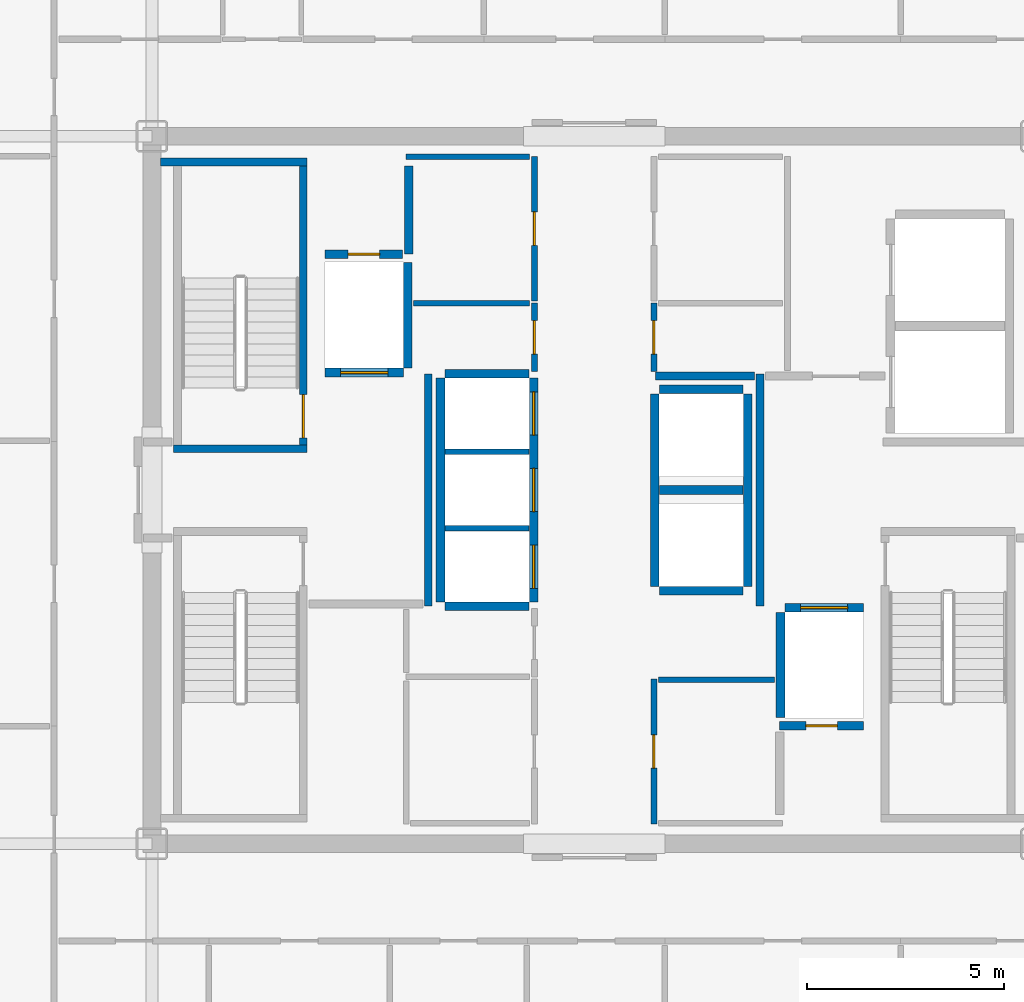
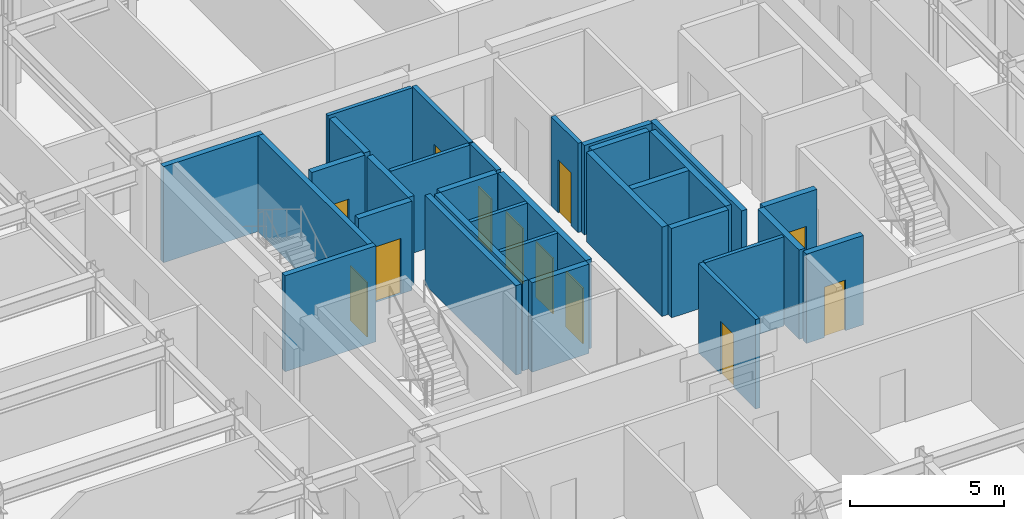
# One storey, part 14 of 18: 31 walls, 12 doors, 12 openings.
"""IFC4 building model written with IfcOpenShell, lengths in metres."""

from ifc_helpers import new_model, si_unit, direction, frame, frame_2d, origin, place, context, subcontext, project, spatial, rectangle, extrude, source, transform, mapped, material, layer, layer_set, type_object, element, fill, save


model = new_model("IFC4")

# Units and contexts
model_context = context("Model", 3, precision=1e-05, world=origin(), true_north=direction((0.0, 1.0)))
body_context = subcontext(model_context, "Body", "Model", "MODEL_VIEW")
ifc_project = project(units=[si_unit("LENGTHUNIT", "METRE"), si_unit("AREAUNIT", "SQUARE_METRE"), si_unit("VOLUMEUNIT", "CUBIC_METRE"), si_unit("PLANEANGLEUNIT", "RADIAN"), si_unit("MASSUNIT", "GRAM", prefix="KILO")], contexts=[model_context])

# Site, building, storey
site_placement = place(None, origin())
site = spatial("IfcSite", under=ifc_project, at=site_placement, CompositionType="ELEMENT")
building_placement = place(site_placement, origin())
building = spatial("IfcBuilding", under=site, at=building_placement, Name="Nefas-Gora Pilgrimage Tower", CompositionType="ELEMENT")
storey_placement = place(building_placement, frame((0.0, 0.0, 295.0)))
storey = spatial("IfcBuildingStorey", under=building, at=storey_placement, Name="L74", CompositionType="ELEMENT", Elevation=295.0)

# Wall
ifc_material_1 = material(Name="Concrete C45/55", Category="concrete")
ifc_layer_1 = layer(ifc_material_1, 0.199951171875)
ifc_layer_set_1 = layer_set([ifc_layer_1], Name="Concrete C45/55")
wall_type_1 = type_object("IfcWallType", Name="IW-STAIR-200", PredefinedType="SOLIDWALL", material=ifc_layer_set_1)
shared_shape_1 = source(origin(), body_context, "Body", "SweptSolid", [
    extrude(rectangle(XDim=3.39990234375, YDim=0.199951171875, at=frame_2d((1.699951171875, 0.0))), origin(), (0.0, 0.0, 1.0), 3.800048828125),
])
wall_1_placement = place(storey_placement, frame((-7.300048828125, 1.050048828125, 0.0), z_axis=(0.0, 0.0, 1.0), x_axis=(-1.0, 0.0, 0.0)))
element("IfcWall", 1, at=wall_1_placement, inside=storey, type_object=wall_type_1, Name="L74 Stairwell Shear Wall ST-01-near", PredefinedType="SOLIDWALL", context=body_context, shape_type="MappedRepresentation", body=[
    mapped(shared_shape_1, transform((0.0, 0.0, 0.0), x_axis=(1.0, 0.0, 0.0), y_axis=(0.0, 1.0, 0.0), z_axis=(0.0, 0.0, 1.0), scale=1.0)),
])

# Wall, opening, door
shared_shape_2 = source(origin(), body_context, "Body", "SweptSolid", [
    extrude(rectangle(XDim=7.10009765625, YDim=0.199951171875, at=frame_2d((3.550048828125, 0.0))), origin(), (0.0, 0.0, 1.0), 3.800048828125),
])
wall_2_placement = place(storey_placement, frame((-7.39990234375, 1.14990234375, 0.0), z_axis=(0.0, 0.0, 1.0), x_axis=(0.0, 1.0, 0.0)))
wall_2 = element("IfcWall", 2, at=wall_2_placement, inside=storey, type_object=wall_type_1, Name="L74 Stairwell Shear Wall ST-01-left", PredefinedType="SOLIDWALL", context=body_context, shape_type="MappedRepresentation", body=[
    mapped(shared_shape_2, transform((0.0, 0.0, 0.0), x_axis=(1.0, 0.0, 0.0), y_axis=(0.0, 1.0, 0.0), z_axis=(0.0, 0.0, 1.0), scale=1.0)),
])
opening_1_placement = place(wall_2_placement, frame((0.179931640625, 0.0, 0.0)))
opening_1 = element("IfcOpeningElement", 3, at=opening_1_placement, cuts=wall_2, Name="Opening ID-ST1", PredefinedType="OPENING", context=body_context, shape_type="SweptSolid", body=[
    extrude(rectangle(XDim=1.10009765625, YDim=2.14990234375, at=frame_2d((0.550048828125, 1.074951171875))), frame((0.0, 0.10986328125, 0.0), z_axis=(0.0, -1.0, 0.0), x_axis=(1.0, 0.0, 0.0)), (0.0, 0.0, 1.0), 0.219970703125),
])
ifc_material_2 = material(Name="Painted galvanised steel fire stair door", Category="steel")
door_type_1 = type_object("IfcDoorType", Name="DR-INT-STAIR-1100", OperationType="NOTDEFINED", PredefinedType="DOOR", material=ifc_material_2)
shared_shape_3 = source(origin(), body_context, "Body", "SweptSolid", [
    extrude(rectangle(XDim=1.10009765625, YDim=2.14990234375, at=frame_2d((0.550048828125, 1.074951171875))), frame((0.0, 0.02490234375, 0.0), z_axis=(0.0, -1.0, 0.0), x_axis=(1.0, 0.0, 0.0)), (0.0, 0.0, 1.0), 0.050048828125),
])
door_1_placement = place(opening_1_placement, origin())
door_1 = element("IfcDoor", 4, at=door_1_placement, inside=storey, type_object=door_type_1, Name="L74 Protected Exit Stair Door ST-01", OperationType="SINGLE_SWING_RIGHT", OverallHeight=2.14990234375, OverallWidth=1.10009765625, PredefinedType="DOOR", context=body_context, shape_type="MappedRepresentation", body=[
    mapped(shared_shape_3, transform((0.0, 0.0, 0.0), x_axis=(1.0, 0.0, 0.0), y_axis=(0.0, 1.0, 0.0), z_axis=(0.0, 0.0, 1.0), scale=1.0)),
])
fill(opening_1, door_1)

# Wall
shared_shape_4 = source(origin(), body_context, "Body", "SweptSolid", [
    extrude(rectangle(XDim=3.72998046875, YDim=0.199951171875, at=frame_2d((1.864990234375, 0.0))), origin(), (0.0, 0.0, 1.0), 3.800048828125),
])
wall_3_placement = place(storey_placement, frame((-7.300048828125, 8.35009765625, 0.0), z_axis=(0.0, 0.0, 1.0), x_axis=(-1.0, 0.0, 0.0)))
element("IfcWall", 5, at=wall_3_placement, inside=storey, type_object=wall_type_1, Name="L74 Stairwell Shear Wall ST-01-far", PredefinedType="SOLIDWALL", context=body_context, shape_type="MappedRepresentation", body=[
    mapped(shared_shape_4, transform((0.0, 0.0, 0.0), x_axis=(1.0, 0.0, 0.0), y_axis=(0.0, 1.0, 0.0), z_axis=(0.0, 0.0, 1.0), scale=1.0)),
])

# Wall, opening, door
ifc_material_3 = material(Name="Concrete C40/50", Category="concrete")
ifc_layer_2 = layer(ifc_material_3, 0.219970703125)
ifc_layer_set_2 = layer_set([ifc_layer_2], Name="Concrete C40/50")
wall_type_2 = type_object("IfcWallType", Name="IW-SHAFT-220", PredefinedType="SOLIDWALL", material=ifc_layer_set_2)
shared_shape_5 = source(origin(), body_context, "Body", "SweptSolid", [
    extrude(rectangle(XDim=2.0, YDim=0.219970703125, at=frame_2d((1.0, 0.0))), origin(), (0.0, 0.0, 1.0), 3.534912109375),
])
wall_4_placement = place(storey_placement, frame((-6.85009765625, 2.989990234375, 0.0), z_axis=(0.0, 0.0, 1.0), x_axis=(1.0, 0.0, 0.0)))
wall_4 = element("IfcWall", 6, at=wall_4_placement, inside=storey, type_object=wall_type_2, Name="L74 Hoistway Wall FFL-01-S", PredefinedType="SOLIDWALL", context=body_context, shape_type="MappedRepresentation", body=[
    mapped(shared_shape_5, transform((0.0, 0.0, 0.0), x_axis=(1.0, 0.0, 0.0), y_axis=(0.0, 1.0, 0.0), z_axis=(0.0, 0.0, 1.0), scale=1.0)),
])
opening_2_placement = place(wall_4_placement, frame((0.39990234375, 0.0, 0.0)))
opening_2 = element("IfcOpeningElement", 7, at=opening_2_placement, cuts=wall_4, Name="Opening LD-FF", PredefinedType="OPENING", context=body_context, shape_type="SweptSolid", body=[
    extrude(rectangle(XDim=1.199951171875, YDim=2.199951171875, at=frame_2d((0.60009765625, 1.10009765625))), frame((0.0, 0.119873046875, 0.0), z_axis=(0.0, -1.0, 0.0), x_axis=(1.0, 0.0, 0.0)), (0.0, 0.0, 1.0), 0.239990234375),
])
ifc_material_4 = material(Name="Fire-service sliding lift landing door")
door_type_2 = type_object("IfcDoorType", Name="DR-LIFT-FSAE-1200", OperationType="SLIDING_TO_LEFT", PredefinedType="DOOR", material=ifc_material_4)
shared_shape_6 = source(origin(), body_context, "Body", "SweptSolid", [
    extrude(rectangle(XDim=1.199951171875, YDim=2.199951171875, at=frame_2d((0.60009765625, 1.10009765625))), frame((0.0, 0.02490234375, 0.0), z_axis=(0.0, -1.0, 0.0), x_axis=(1.0, 0.0, 0.0)), (0.0, 0.0, 1.0), 0.050048828125),
])
door_2_placement = place(opening_2_placement, origin())
door_2 = element("IfcDoor", 8, at=door_2_placement, inside=storey, type_object=door_type_2, Name="L74 Sliding Lift Landing Door FFL-01", OperationType="SLIDING_TO_LEFT", OverallHeight=2.199951171875, OverallWidth=1.199951171875, PredefinedType="DOOR", context=body_context, shape_type="MappedRepresentation", body=[
    mapped(shared_shape_6, transform((0.0, 0.0, 0.0), x_axis=(1.0, 0.0, 0.0), y_axis=(0.0, 1.0, 0.0), z_axis=(0.0, 0.0, 1.0), scale=1.0)),
])
fill(opening_2, door_2)

wall_5_placement = place(storey_placement, frame((6.85009765625, -2.989990234375, 0.0), z_axis=(0.0, 0.0, 1.0), x_axis=(-1.0, 0.0, 0.0)))
wall_5 = element("IfcWall", 9, at=wall_5_placement, inside=storey, type_object=wall_type_2, Name="L74 Hoistway Wall FFL-02-N", PredefinedType="SOLIDWALL", context=body_context, shape_type="MappedRepresentation", body=[
    mapped(shared_shape_5, transform((0.0, 0.0, 0.0), x_axis=(1.0, 0.0, 0.0), y_axis=(0.0, 1.0, 0.0), z_axis=(0.0, 0.0, 1.0), scale=1.0)),
])
opening_3_placement = place(wall_5_placement, frame((0.39990234375, 0.0, 0.0)))
opening_3 = element("IfcOpeningElement", 10, at=opening_3_placement, cuts=wall_5, Name="Opening LD-FF", PredefinedType="OPENING", context=body_context, shape_type="SweptSolid", body=[
    extrude(rectangle(XDim=1.199951171875, YDim=2.199951171875, at=frame_2d((0.60009765625, 1.10009765625))), frame((0.0, 0.119873046875, 0.0), z_axis=(0.0, -1.0, 0.0), x_axis=(1.0, 0.0, 0.0)), (0.0, 0.0, 1.0), 0.239990234375),
])
door_3_placement = place(opening_3_placement, origin())
door_3 = element("IfcDoor", 11, at=door_3_placement, inside=storey, type_object=door_type_2, Name="L74 Sliding Lift Landing Door FFL-02", OperationType="SLIDING_TO_LEFT", OverallHeight=2.199951171875, OverallWidth=1.199951171875, PredefinedType="DOOR", context=body_context, shape_type="MappedRepresentation", body=[
    mapped(shared_shape_6, transform((0.0, 0.0, 0.0), x_axis=(1.0, 0.0, 0.0), y_axis=(0.0, 1.0, 0.0), z_axis=(0.0, 0.0, 1.0), scale=1.0)),
])
fill(opening_3, door_3)

# Walls
shared_shape_7 = source(origin(), body_context, "Body", "SweptSolid", [
    extrude(rectangle(XDim=2.679931640625, YDim=0.219970703125, at=frame_2d((1.33984375, 0.0))), origin(), (0.0, 0.0, 1.0), 3.534912109375),
])
for number, where, z_axis, x_axis, name in (
    (12, (-4.739990234375, 3.110107421875, 0.0), (0.0, 0.0, 1.0), (0.0, 1.0, 0.0), "L74 Hoistway Wall FFL-01-E"),
    (13, (4.739990234375, -3.110107421875, 0.0), (0.0, 0.0, 1.0), (0.0, -1.0, 0.0), "L74 Hoistway Wall FFL-02-W"),
):
    element("IfcWall", number, at=place(storey_placement, frame(where, z_axis=z_axis, x_axis=x_axis)), inside=storey, type_object=wall_type_2, Name=name, PredefinedType="SOLIDWALL", context=body_context, shape_type="MappedRepresentation", body=[
        mapped(shared_shape_7, transform((0.0, 0.0, 0.0), x_axis=(1.0, 0.0, 0.0), y_axis=(0.0, 1.0, 0.0), z_axis=(0.0, 0.0, 1.0), scale=1.0)),
    ])

# Wall, openings, doors
shared_shape_8 = source(origin(), body_context, "Body", "SweptSolid", [
    extrude(rectangle(XDim=5.7001953125, YDim=0.219970703125, at=frame_2d((2.85009765625, 0.0))), origin(), (0.0, 0.0, 1.0), 3.534912109375),
])
wall_6_placement = place(storey_placement, frame((-1.5400390625, -2.85009765625, 0.0), z_axis=(0.0, 0.0, 1.0), x_axis=(0.0, 1.0, 0.0)))
wall_6 = element("IfcWall", 14, at=wall_6_placement, inside=storey, type_object=wall_type_2, Name="L74 Hoistway Wall PL3-01-03-E", PredefinedType="SOLIDWALL", context=body_context, shape_type="MappedRepresentation", body=[
    mapped(shared_shape_8, transform((0.0, 0.0, 0.0), x_axis=(1.0, 0.0, 0.0), y_axis=(0.0, 1.0, 0.0), z_axis=(0.0, 0.0, 1.0), scale=1.0)),
])
opening_4_placement = place(wall_6_placement, frame((0.35009765625, 0.0, 0.0)))
opening_4 = element("IfcOpeningElement", 15, at=opening_4_placement, cuts=wall_6, Name="Opening LD-01", PredefinedType="OPENING", context=body_context, shape_type="SweptSolid", body=[
    extrude(rectangle(XDim=1.10009765625, YDim=2.199951171875, at=frame_2d((0.550048828125, 1.10009765625))), frame((0.0, 0.119873046875, 0.0), z_axis=(0.0, -1.0, 0.0), x_axis=(1.0, 0.0, 0.0)), (0.0, 0.0, 1.0), 0.239990234375),
])
opening_5_placement = place(wall_6_placement, frame((2.300048828125, 0.0, 0.0)))
opening_5 = element("IfcOpeningElement", 16, at=opening_5_placement, cuts=wall_6, Name="Opening LD-01", PredefinedType="OPENING", context=body_context, shape_type="SweptSolid", body=[
    extrude(rectangle(XDim=1.10009765625, YDim=2.199951171875, at=frame_2d((0.550048828125, 1.10009765625))), frame((0.0, 0.119873046875, 0.0), z_axis=(0.0, -1.0, 0.0), x_axis=(1.0, 0.0, 0.0)), (0.0, 0.0, 1.0), 0.239990234375),
])
opening_6_placement = place(wall_6_placement, frame((4.25, 0.0, 0.0)))
opening_6 = element("IfcOpeningElement", 17, at=opening_6_placement, cuts=wall_6, Name="Opening LD-01", PredefinedType="OPENING", context=body_context, shape_type="SweptSolid", body=[
    extrude(rectangle(XDim=1.10009765625, YDim=2.199951171875, at=frame_2d((0.550048828125, 1.10009765625))), frame((0.0, 0.119873046875, 0.0), z_axis=(0.0, -1.0, 0.0), x_axis=(1.0, 0.0, 0.0)), (0.0, 0.0, 1.0), 0.239990234375),
])
ifc_material_5 = material(Name="Brushed stainless sliding lift landing door")
door_type_3 = type_object("IfcDoorType", Name="DR-LIFT-PASS-1100", OperationType="DOUBLE_DOOR_SLIDING", PredefinedType="DOOR", material=ifc_material_5)
shared_shape_9 = source(origin(), body_context, "Body", "SweptSolid", [
    extrude(rectangle(XDim=1.10009765625, YDim=2.199951171875, at=frame_2d((0.550048828125, 1.10009765625))), frame((0.0, 0.02490234375, 0.0), z_axis=(0.0, -1.0, 0.0), x_axis=(1.0, 0.0, 0.0)), (0.0, 0.0, 1.0), 0.050048828125),
])
door_4_placement = place(opening_4_placement, origin())
door_4 = element("IfcDoor", 18, at=door_4_placement, inside=storey, type_object=door_type_3, Name="L74 Sliding Lift Landing Door PL3-01", OperationType="DOUBLE_DOOR_SLIDING", OverallHeight=2.199951171875, OverallWidth=1.10009765625, PredefinedType="DOOR", context=body_context, shape_type="MappedRepresentation", body=[
    mapped(shared_shape_9, transform((0.0, 0.0, 0.0), x_axis=(1.0, 0.0, 0.0), y_axis=(0.0, 1.0, 0.0), z_axis=(0.0, 0.0, 1.0), scale=1.0)),
])
fill(opening_4, door_4)
door_5_placement = place(opening_5_placement, origin())
door_5 = element("IfcDoor", 19, at=door_5_placement, inside=storey, type_object=door_type_3, Name="L74 Sliding Lift Landing Door PL3-02", OperationType="DOUBLE_DOOR_SLIDING", OverallHeight=2.199951171875, OverallWidth=1.10009765625, PredefinedType="DOOR", context=body_context, shape_type="MappedRepresentation", body=[
    mapped(shared_shape_9, transform((0.0, 0.0, 0.0), x_axis=(1.0, 0.0, 0.0), y_axis=(0.0, 1.0, 0.0), z_axis=(0.0, 0.0, 1.0), scale=1.0)),
])
fill(opening_5, door_5)
door_6_placement = place(opening_6_placement, origin())
door_6 = element("IfcDoor", 20, at=door_6_placement, inside=storey, type_object=door_type_3, Name="L74 Sliding Lift Landing Door PL3-03", OperationType="DOUBLE_DOOR_SLIDING", OverallHeight=2.199951171875, OverallWidth=1.10009765625, PredefinedType="DOOR", context=body_context, shape_type="MappedRepresentation", body=[
    mapped(shared_shape_9, transform((0.0, 0.0, 0.0), x_axis=(1.0, 0.0, 0.0), y_axis=(0.0, 1.0, 0.0), z_axis=(0.0, 0.0, 1.0), scale=1.0)),
])
fill(opening_6, door_6)

# Walls
wall_7_placement = place(storey_placement, frame((-3.909912109375, 2.85009765625, 0.0), z_axis=(0.0, 0.0, 1.0), x_axis=(0.0, -1.0, 0.0)))
element("IfcWall", 21, at=wall_7_placement, inside=storey, type_object=wall_type_2, Name="L74 Hoistway Wall PL3-01-03-W", PredefinedType="SOLIDWALL", context=body_context, shape_type="MappedRepresentation", body=[
    mapped(shared_shape_8, transform((0.0, 0.0, 0.0), x_axis=(1.0, 0.0, 0.0), y_axis=(0.0, 1.0, 0.0), z_axis=(0.0, 0.0, 1.0), scale=1.0)),
])
shared_shape_10 = source(origin(), body_context, "Body", "SweptSolid", [
    extrude(rectangle(XDim=2.130126953125, YDim=0.219970703125, at=frame_2d((1.06494140625, 0.0))), origin(), (0.0, 0.0, 1.0), 3.534912109375),
])
for number, where, z_axis, x_axis, name in (
    (22, (-3.7900390625, -2.9599609375, 0.0), (0.0, 0.0, 1.0), (1.0, 0.0, 0.0), "L74 Hoistway Wall PL3-01-S"),
    (23, (-1.659912109375, 2.9599609375, 0.0), (0.0, 0.0, 1.0), (-1.0, 0.0, 0.0), "L74 Hoistway Wall PL3-03-N"),
    (24, (1.659912109375, -2.56005859375, 0.0), (0.0, 0.0, 1.0), (1.0, 0.0, 0.0), "L74 Hoistway Wall OBS-01-S"),
    (25, (1.659912109375, 0.0, 0.0), (0.0, 0.0, 1.0), (1.0, 0.0, 0.0), "L74 Hoistway Wall OBS-01-02-DIV"),
    (26, (3.7900390625, 2.56005859375, 0.0), (0.0, 0.0, 1.0), (-1.0, 0.0, 0.0), "L74 Hoistway Wall OBS-02-N"),
):
    element("IfcWall", number, at=place(storey_placement, frame(where, z_axis=z_axis, x_axis=x_axis)), inside=storey, type_object=wall_type_2, Name=name, PredefinedType="SOLIDWALL", context=body_context, shape_type="MappedRepresentation", body=[
        mapped(shared_shape_10, transform((0.0, 0.0, 0.0), x_axis=(1.0, 0.0, 0.0), y_axis=(0.0, 1.0, 0.0), z_axis=(0.0, 0.0, 1.0), scale=1.0)),
    ])

# Wall, opening, door
wall_8_placement = place(storey_placement, frame((4.719970703125, -6.0, 0.0), z_axis=(0.0, 0.0, 1.0), x_axis=(1.0, 0.0, 0.0)))
wall_8 = element("IfcWall", 27, at=wall_8_placement, inside=storey, type_object=wall_type_2, Name="L74 Riser Shaft Wall 3", PredefinedType="SOLIDWALL", context=body_context, shape_type="MappedRepresentation", body=[
    mapped(shared_shape_10, transform((0.0, 0.0, 0.0), x_axis=(1.0, 0.0, 0.0), y_axis=(0.0, 1.0, 0.0), z_axis=(0.0, 0.0, 1.0), scale=1.0)),
])
opening_7_placement = place(wall_8_placement, frame((0.6650390625, 0.0, 0.0)))
opening_7 = element("IfcOpeningElement", 28, at=opening_7_placement, cuts=wall_8, Name="Opening ID-TR1", PredefinedType="OPENING", context=body_context, shape_type="SweptSolid", body=[
    extrude(rectangle(XDim=0.800048828125, YDim=2.0, at=frame_2d((0.39990234375, 1.0))), frame((0.0, 0.119873046875, 0.0), z_axis=(0.0, -1.0, 0.0), x_axis=(1.0, 0.0, 0.0)), (0.0, 0.0, 1.0), 0.239990234375),
])
ifc_material_6 = material(Name="Riser maintenance fire access door")
door_type_4 = type_object("IfcDoorType", Name="DR-INT-TRAP-800", OperationType="NOTDEFINED", PredefinedType="TRAPDOOR", material=ifc_material_6)
shared_shape_11 = source(origin(), body_context, "Body", "SweptSolid", [
    extrude(rectangle(XDim=0.800048828125, YDim=2.0, at=frame_2d((0.39990234375, 1.0))), frame((0.0, 0.02490234375, 0.0), z_axis=(0.0, -1.0, 0.0), x_axis=(1.0, 0.0, 0.0)), (0.0, 0.0, 1.0), 0.050048828125),
])
door_7_placement = place(opening_7_placement, origin())
door_7 = element("IfcDoor", 29, at=door_7_placement, inside=storey, type_object=door_type_4, Name="L74 Riser Shaft Door 2", OperationType="SINGLE_SWING_RIGHT", OverallHeight=2.0, OverallWidth=0.800048828125, PredefinedType="TRAPDOOR", context=body_context, shape_type="MappedRepresentation", body=[
    mapped(shared_shape_11, transform((0.0, 0.0, 0.0), x_axis=(1.0, 0.0, 0.0), y_axis=(0.0, 1.0, 0.0), z_axis=(0.0, 0.0, 1.0), scale=1.0)),
])
fill(opening_7, door_7)

# Walls
ifc_material_7 = material(Name="Gypsum twin-stud partition")
ifc_layer_3 = layer(ifc_material_7, 0.139892578125)
ifc_layer_set_3 = layer_set([ifc_layer_3], Name="Gypsum twin-stud partition")
wall_type_3 = type_object("IfcWallType", Name="IW-UNIT-140", PredefinedType="PARTITIONING", material=ifc_layer_set_3)
shared_shape_12 = source(origin(), body_context, "Body", "SweptSolid", [
    extrude(rectangle(XDim=2.130126953125, YDim=0.139892578125, at=frame_2d((1.06494140625, 0.0))), origin(), (0.0, 0.0, 1.0), 3.534912109375),
])
for number, where, z_axis, x_axis, name in (
    (30, (-3.7900390625, -0.97509765625, 0.0), (0.0, 0.0, 1.0), (1.0, 0.0, 0.0), "L74 Hoistway Wall PL3-01-02-DIV"),
    (31, (-3.7900390625, 0.97509765625, 0.0), (0.0, 0.0, 1.0), (1.0, 0.0, 0.0), "L74 Hoistway Wall PL3-02-03-DIV"),
):
    element("IfcWall", number, at=place(storey_placement, frame(where, z_axis=z_axis, x_axis=x_axis)), inside=storey, type_object=wall_type_3, Name=name, PredefinedType="PARTITIONING", context=body_context, shape_type="MappedRepresentation", body=[
        mapped(shared_shape_12, transform((0.0, 0.0, 0.0), x_axis=(1.0, 0.0, 0.0), y_axis=(0.0, 1.0, 0.0), z_axis=(0.0, 0.0, 1.0), scale=1.0)),
    ])
shared_shape_13 = source(origin(), body_context, "Body", "SweptSolid", [
    extrude(rectangle(XDim=4.89990234375, YDim=0.219970703125, at=frame_2d((2.449951171875, 0.0))), origin(), (0.0, 0.0, 1.0), 3.534912109375),
])
for number, where, z_axis, x_axis, name in (
    (32, (1.5400390625, 2.449951171875, 0.0), (0.0, 0.0, 1.0), (0.0, -1.0, 0.0), "L74 Hoistway Wall OBS-01-02-W"),
    (33, (3.909912109375, -2.449951171875, 0.0), (0.0, 0.0, 1.0), (0.0, 1.0, 0.0), "L74 Hoistway Wall OBS-01-02-E"),
):
    element("IfcWall", number, at=place(storey_placement, frame(where, z_axis=z_axis, x_axis=x_axis)), inside=storey, type_object=wall_type_2, Name=name, PredefinedType="SOLIDWALL", context=body_context, shape_type="MappedRepresentation", body=[
        mapped(shared_shape_13, transform((0.0, 0.0, 0.0), x_axis=(1.0, 0.0, 0.0), y_axis=(0.0, 1.0, 0.0), z_axis=(0.0, 0.0, 1.0), scale=1.0)),
    ])
ifc_material_8 = material(Name="Gypsum fire-rated shaftwall")
ifc_layer_4 = layer(ifc_material_8, 0.199951171875)
ifc_layer_set_4 = layer_set([ifc_layer_4], Name="Gypsum fire-rated shaftwall")
wall_type_4 = type_object("IfcWallType", Name="IW-FFLOB-200", PredefinedType="PARTITIONING", material=ifc_layer_set_4)
shared_shape_14 = source(origin(), body_context, "Body", "SweptSolid", [
    extrude(rectangle(XDim=5.89990234375, YDim=0.199951171875, at=frame_2d((2.949951171875, 0.0))), origin(), (0.0, 0.0, 1.0), 3.534912109375),
])
for number, where, z_axis, x_axis, name in (
    (34, (-4.219970703125, -2.949951171875, 0.0), (0.0, 0.0, 1.0), (0.0, 1.0, 0.0), "L74 FF Lobby West Inner Wall Wall 6"),
    (35, (4.219970703125, -2.949951171875, 0.0), (0.0, 0.0, 1.0), (0.0, 1.0, 0.0), "L74 FF Lobby East Inner Wall Wall 11"),
):
    element("IfcWall", number, at=place(storey_placement, frame(where, z_axis=z_axis, x_axis=x_axis)), inside=storey, type_object=wall_type_4, Name=name, PredefinedType="PARTITIONING", context=body_context, shape_type="MappedRepresentation", body=[
        mapped(shared_shape_14, transform((0.0, 0.0, 0.0), x_axis=(1.0, 0.0, 0.0), y_axis=(0.0, 1.0, 0.0), z_axis=(0.0, 0.0, 1.0), scale=1.0)),
    ])
shared_shape_15 = source(origin(), body_context, "Body", "SweptSolid", [
    extrude(rectangle(XDim=2.9501953125, YDim=0.139892578125, at=frame_2d((1.47509765625, 0.0))), origin(), (0.0, 0.0, 1.0), 3.534912109375),
])
for number, where, z_axis, x_axis, name in (
    (36, (-4.590087890625, 4.75, 0.0), (0.0, 0.0, 1.0), (1.0, 0.0, 0.0), "L74 Housekeeping and Linen Store Partition Wall 20"),
    (37, (1.639892578125, -4.820068359375, 0.0), (0.0, 0.0, 1.0), (1.0, 0.0, 0.0), "L74 High-Rise Tableware Store Partition Wall 34"),
):
    element("IfcWall", number, at=place(storey_placement, frame(where, z_axis=z_axis, x_axis=x_axis)), inside=storey, type_object=wall_type_3, Name=name, PredefinedType="PARTITIONING", context=body_context, shape_type="MappedRepresentation", body=[
        mapped(shared_shape_15, transform((0.0, 0.0, 0.0), x_axis=(1.0, 0.0, 0.0), y_axis=(0.0, 1.0, 0.0), z_axis=(0.0, 0.0, 1.0), scale=1.0)),
    ])
shared_shape_16 = source(origin(), body_context, "Body", "SweptSolid", [
    extrude(rectangle(XDim=3.150146484375, YDim=0.139892578125, at=frame_2d((1.5751953125, 0.0))), origin(), (0.0, 0.0, 1.0), 3.534912109375),
])
wall_9_placement = place(storey_placement, frame((-4.7900390625, 8.47998046875, 0.0), z_axis=(0.0, 0.0, 1.0), x_axis=(1.0, 0.0, 0.0)))
element("IfcWall", 38, at=wall_9_placement, inside=storey, type_object=wall_type_3, Name="L74 Archival Supply Store Partition Wall 22", PredefinedType="PARTITIONING", context=body_context, shape_type="MappedRepresentation", body=[
    mapped(shared_shape_16, transform((0.0, 0.0, 0.0), x_axis=(1.0, 0.0, 0.0), y_axis=(0.0, 1.0, 0.0), z_axis=(0.0, 0.0, 1.0), scale=1.0)),
])
shared_shape_17 = source(origin(), body_context, "Body", "SweptSolid", [
    extrude(rectangle(XDim=2.25, YDim=0.219970703125, at=frame_2d((1.125, 0.0))), origin(), (0.0, 0.0, 1.0), 3.534912109375),
])
wall_10_placement = place(storey_placement, frame((-4.719970703125, 6.0, 0.0), z_axis=(0.0, 0.0, 1.0), x_axis=(0.0, 1.0, 0.0)))
element("IfcWall", 39, at=wall_10_placement, inside=storey, type_object=wall_type_2, Name="L74 Riser Shaft Wall 1", PredefinedType="SOLIDWALL", context=body_context, shape_type="MappedRepresentation", body=[
    mapped(shared_shape_17, transform((0.0, 0.0, 0.0), x_axis=(1.0, 0.0, 0.0), y_axis=(0.0, 1.0, 0.0), z_axis=(0.0, 0.0, 1.0), scale=1.0)),
])

# Wall, opening, door
shared_shape_18 = source(origin(), body_context, "Body", "SweptSolid", [
    extrude(rectangle(XDim=1.97998046875, YDim=0.219970703125, at=frame_2d((0.989990234375, 0.0))), origin(), (0.0, 0.0, 1.0), 3.534912109375),
])
wall_11_placement = place(storey_placement, frame((-6.85009765625, 6.0, 0.0), z_axis=(0.0, 0.0, 1.0), x_axis=(1.0, 0.0, 0.0)))
wall_11 = element("IfcWall", 40, at=wall_11_placement, inside=storey, type_object=wall_type_2, Name="L74 Riser Shaft Wall 2", PredefinedType="SOLIDWALL", context=body_context, shape_type="MappedRepresentation", body=[
    mapped(shared_shape_18, transform((0.0, 0.0, 0.0), x_axis=(1.0, 0.0, 0.0), y_axis=(0.0, 1.0, 0.0), z_axis=(0.0, 0.0, 1.0), scale=1.0)),
])
opening_8_placement = place(wall_11_placement, frame((0.590087890625, 0.0, 0.0)))
opening_8 = element("IfcOpeningElement", 41, at=opening_8_placement, cuts=wall_11, Name="Opening ID-TR1", PredefinedType="OPENING", context=body_context, shape_type="SweptSolid", body=[
    extrude(rectangle(XDim=0.800048828125, YDim=2.0, at=frame_2d((0.39990234375, 1.0))), frame((0.0, 0.119873046875, 0.0), z_axis=(0.0, -1.0, 0.0), x_axis=(1.0, 0.0, 0.0)), (0.0, 0.0, 1.0), 0.239990234375),
])
door_8_placement = place(opening_8_placement, origin())
door_8 = element("IfcDoor", 42, at=door_8_placement, inside=storey, type_object=door_type_4, Name="L74 Riser Shaft Door 1", OperationType="SINGLE_SWING_LEFT", OverallHeight=2.0, OverallWidth=0.800048828125, PredefinedType="TRAPDOOR", context=body_context, shape_type="MappedRepresentation", body=[
    mapped(shared_shape_11, transform((0.0, 0.0, 0.0), x_axis=(1.0, 0.0, 0.0), y_axis=(0.0, 1.0, 0.0), z_axis=(0.0, 0.0, 1.0), scale=1.0)),
])
fill(opening_8, door_8)

# Wall
shared_shape_19 = source(origin(), body_context, "Body", "SweptSolid", [
    extrude(rectangle(XDim=2.52001953125, YDim=0.199951171875, at=frame_2d((1.260009765625, 0.0))), origin(), (0.0, 0.0, 1.0), 3.534912109375),
])
wall_12_placement = place(storey_placement, frame((1.56005859375, 2.89990234375, 0.0), z_axis=(0.0, 0.0, 1.0), x_axis=(1.0, 0.0, 0.0)))
element("IfcWall", 43, at=wall_12_placement, inside=storey, type_object=wall_type_4, Name="L74 FF Lobby East North Wall Wall 12", PredefinedType="PARTITIONING", context=body_context, shape_type="MappedRepresentation", body=[
    mapped(shared_shape_19, transform((0.0, 0.0, 0.0), x_axis=(1.0, 0.0, 0.0), y_axis=(0.0, 1.0, 0.0), z_axis=(0.0, 0.0, 1.0), scale=1.0)),
])

# Wall, opening, door
ifc_material_9 = material(Name="Gypsum acoustic stud partition")
ifc_layer_5 = layer(ifc_material_9, 0.159912109375)
ifc_layer_set_5 = layer_set([ifc_layer_5], Name="Gypsum acoustic stud partition")
wall_type_5 = type_object("IfcWallType", Name="IW-CORR-160", PredefinedType="PARTITIONING", material=ifc_layer_set_5)
shared_shape_20 = source(origin(), body_context, "Body", "SweptSolid", [
    extrude(rectangle(XDim=1.75, YDim=0.159912109375, at=frame_2d((0.875, 0.0))), origin(), (0.0, 0.0, 1.0), 3.534912109375),
])
wall_13_placement = place(storey_placement, frame((-1.52001953125, 3.010009765625, 0.0), z_axis=(0.0, 0.0, 1.0), x_axis=(0.0, 1.0, 0.0)))
wall_13 = element("IfcWall", 44, at=wall_13_placement, inside=storey, type_object=wall_type_5, Name="L74 Housekeeping and Linen Store Wall 19", PredefinedType="PARTITIONING", context=body_context, shape_type="MappedRepresentation", body=[
    mapped(shared_shape_20, transform((0.0, 0.0, 0.0), x_axis=(1.0, 0.0, 0.0), y_axis=(0.0, 1.0, 0.0), z_axis=(0.0, 0.0, 1.0), scale=1.0)),
])
opening_9_placement = place(wall_13_placement, frame((0.449951171875, 0.0, 0.0)))
opening_9 = element("IfcOpeningElement", 45, at=opening_9_placement, cuts=wall_13, Name="Opening ID-BT1", PredefinedType="OPENING", context=body_context, shape_type="SweptSolid", body=[
    extrude(rectangle(XDim=0.85009765625, YDim=2.10009765625, at=frame_2d((0.425048828125, 1.050048828125))), frame((0.0, 0.08984375, 0.0), z_axis=(0.0, -1.0, 0.0), x_axis=(1.0, 0.0, 0.0)), (0.0, 0.0, 1.0), 0.179931640625),
])
ifc_material_10 = material(Name="Moisture-resistant fire-rated timber door", Category="wood")
door_type_5 = type_object("IfcDoorType", Name="DR-INT-BATH-850", OperationType="NOTDEFINED", PredefinedType="DOOR", material=ifc_material_10)
shared_shape_21 = source(origin(), body_context, "Body", "SweptSolid", [
    extrude(rectangle(XDim=0.85009765625, YDim=2.10009765625, at=frame_2d((0.425048828125, 1.050048828125))), frame((0.0, 0.02490234375, 0.0), z_axis=(0.0, -1.0, 0.0), x_axis=(1.0, 0.0, 0.0)), (0.0, 0.0, 1.0), 0.050048828125),
])
door_9_placement = place(opening_9_placement, origin())
door_9 = element("IfcDoor", 46, at=door_9_placement, inside=storey, type_object=door_type_5, Name="L74 Housekeeping and Linen Store Door 8", OperationType="SINGLE_SWING_RIGHT", OverallHeight=2.10009765625, OverallWidth=0.85009765625, PredefinedType="DOOR", context=body_context, shape_type="MappedRepresentation", body=[
    mapped(shared_shape_21, transform((0.0, 0.0, 0.0), x_axis=(1.0, 0.0, 0.0), y_axis=(0.0, 1.0, 0.0), z_axis=(0.0, 0.0, 1.0), scale=1.0)),
])
fill(opening_9, door_9)

wall_14_placement = place(storey_placement, frame((1.52001953125, 3.010009765625, 0.0), z_axis=(0.0, 0.0, 1.0), x_axis=(0.0, 1.0, 0.0)))
wall_14 = element("IfcWall", 47, at=wall_14_placement, inside=storey, type_object=wall_type_5, Name="L74 Clean Blanket and Robe Store Wall 23", PredefinedType="PARTITIONING", context=body_context, shape_type="MappedRepresentation", body=[
    mapped(shared_shape_20, transform((0.0, 0.0, 0.0), x_axis=(1.0, 0.0, 0.0), y_axis=(0.0, 1.0, 0.0), z_axis=(0.0, 0.0, 1.0), scale=1.0)),
])
opening_10_placement = place(wall_14_placement, frame((0.449951171875, 0.0, 0.0)))
opening_10 = element("IfcOpeningElement", 48, at=opening_10_placement, cuts=wall_14, Name="Opening ID-BT1", PredefinedType="OPENING", context=body_context, shape_type="SweptSolid", body=[
    extrude(rectangle(XDim=0.85009765625, YDim=2.10009765625, at=frame_2d((0.425048828125, 1.050048828125))), frame((0.0, 0.08984375, 0.0), z_axis=(0.0, -1.0, 0.0), x_axis=(1.0, 0.0, 0.0)), (0.0, 0.0, 1.0), 0.179931640625),
])
door_10_placement = place(opening_10_placement, origin())
door_10 = element("IfcDoor", 49, at=door_10_placement, inside=storey, type_object=door_type_5, Name="L74 Clean Blanket and Robe Store Door 10", OperationType="SINGLE_SWING_RIGHT", OverallHeight=2.10009765625, OverallWidth=0.85009765625, PredefinedType="DOOR", context=body_context, shape_type="MappedRepresentation", body=[
    mapped(shared_shape_21, transform((0.0, 0.0, 0.0), x_axis=(1.0, 0.0, 0.0), y_axis=(0.0, 1.0, 0.0), z_axis=(0.0, 0.0, 1.0), scale=1.0)),
])
fill(opening_10, door_10)

shared_shape_22 = source(origin(), body_context, "Body", "SweptSolid", [
    extrude(rectangle(XDim=3.679931640625, YDim=0.159912109375, at=frame_2d((1.83984375, 0.0))), origin(), (0.0, 0.0, 1.0), 3.534912109375),
])
wall_15_placement = place(storey_placement, frame((-1.52001953125, 4.81005859375, 0.0), z_axis=(0.0, 0.0, 1.0), x_axis=(0.0, 1.0, 0.0)))
wall_15 = element("IfcWall", 50, at=wall_15_placement, inside=storey, type_object=wall_type_5, Name="L74 Archival Supply Store Wall 21", PredefinedType="PARTITIONING", context=body_context, shape_type="MappedRepresentation", body=[
    mapped(shared_shape_22, transform((0.0, 0.0, 0.0), x_axis=(1.0, 0.0, 0.0), y_axis=(0.0, 1.0, 0.0), z_axis=(0.0, 0.0, 1.0), scale=1.0)),
])
opening_11_placement = place(wall_15_placement, frame((1.4150390625, 0.0, 0.0)))
opening_11 = element("IfcOpeningElement", 51, at=opening_11_placement, cuts=wall_15, Name="Opening ID-BT1", PredefinedType="OPENING", context=body_context, shape_type="SweptSolid", body=[
    extrude(rectangle(XDim=0.85009765625, YDim=2.10009765625, at=frame_2d((0.425048828125, 1.050048828125))), frame((0.0, 0.08984375, 0.0), z_axis=(0.0, -1.0, 0.0), x_axis=(1.0, 0.0, 0.0)), (0.0, 0.0, 1.0), 0.179931640625),
])
door_11_placement = place(opening_11_placement, origin())
door_11 = element("IfcDoor", 52, at=door_11_placement, inside=storey, type_object=door_type_5, Name="L74 Archival Supply Store Door 9", OperationType="SINGLE_SWING_LEFT", OverallHeight=2.10009765625, OverallWidth=0.85009765625, PredefinedType="DOOR", context=body_context, shape_type="MappedRepresentation", body=[
    mapped(shared_shape_21, transform((0.0, 0.0, 0.0), x_axis=(1.0, 0.0, 0.0), y_axis=(0.0, 1.0, 0.0), z_axis=(0.0, 0.0, 1.0), scale=1.0)),
])
fill(opening_11, door_11)

wall_16_placement = place(storey_placement, frame((1.52001953125, -8.489990234375, 0.0), z_axis=(0.0, 0.0, 1.0), x_axis=(0.0, 1.0, 0.0)))
wall_16 = element("IfcWall", 53, at=wall_16_placement, inside=storey, type_object=wall_type_5, Name="L74 High-Rise Tableware Store Wall 33", PredefinedType="PARTITIONING", context=body_context, shape_type="MappedRepresentation", body=[
    mapped(shared_shape_22, transform((0.0, 0.0, 0.0), x_axis=(1.0, 0.0, 0.0), y_axis=(0.0, 1.0, 0.0), z_axis=(0.0, 0.0, 1.0), scale=1.0)),
])
opening_12_placement = place(wall_16_placement, frame((1.4150390625, 0.0, 0.0)))
opening_12 = element("IfcOpeningElement", 54, at=opening_12_placement, cuts=wall_16, Name="Opening ID-BT1", PredefinedType="OPENING", context=body_context, shape_type="SweptSolid", body=[
    extrude(rectangle(XDim=0.85009765625, YDim=2.10009765625, at=frame_2d((0.425048828125, 1.050048828125))), frame((0.0, 0.08984375, 0.0), z_axis=(0.0, -1.0, 0.0), x_axis=(1.0, 0.0, 0.0)), (0.0, 0.0, 1.0), 0.179931640625),
])
door_12_placement = place(opening_12_placement, origin())
door_12 = element("IfcDoor", 55, at=door_12_placement, inside=storey, type_object=door_type_5, Name="L74 High-Rise Tableware Store Door 14", OperationType="SINGLE_SWING_RIGHT", OverallHeight=2.10009765625, OverallWidth=0.85009765625, PredefinedType="DOOR", context=body_context, shape_type="MappedRepresentation", body=[
    mapped(shared_shape_21, transform((0.0, 0.0, 0.0), x_axis=(1.0, 0.0, 0.0), y_axis=(0.0, 1.0, 0.0), z_axis=(0.0, 0.0, 1.0), scale=1.0)),
])
fill(opening_12, door_12)

save(model, "model.ifc")
